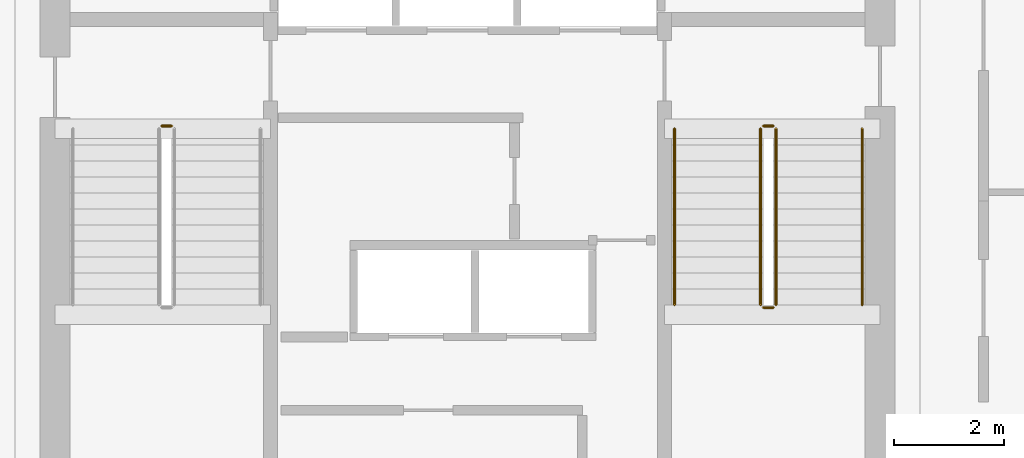
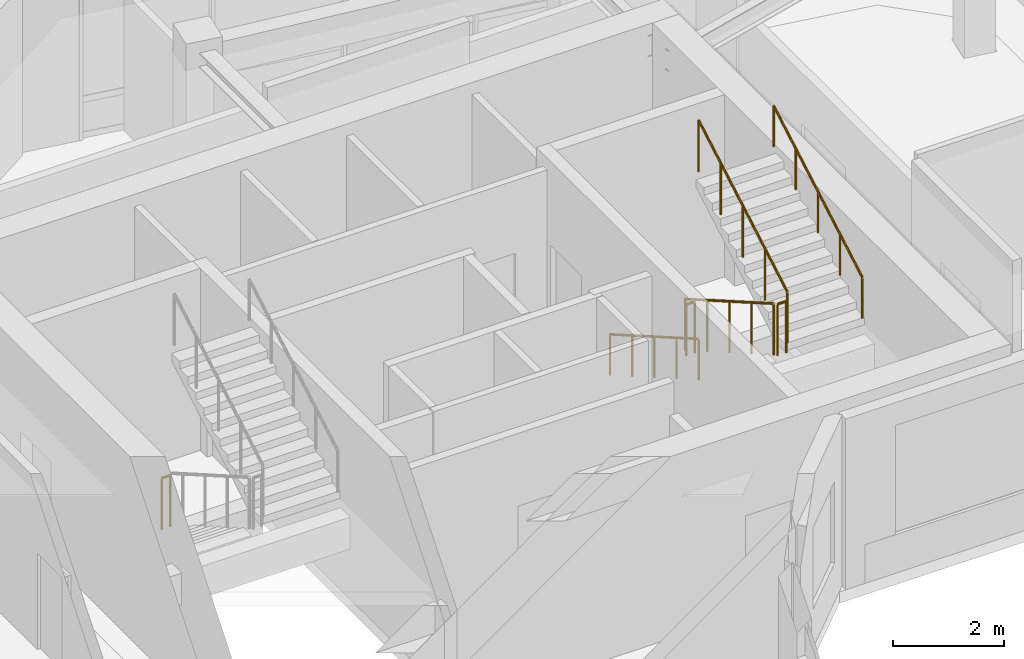
# One storey, part 8 of 8: 7 railings.
"""IFC4 building model written with IfcOpenShell, lengths in metres."""

from ifc_helpers import new_model, si_unit, direction, frame, origin, origin_2d, place, context, subcontext, project, spatial, circle, extrude, material, type_object, element, save


model = new_model("IFC4")

# Units and contexts
model_context = context("Model", 3, precision=1e-05, world=origin(), true_north=direction((0.0, 1.0)))
body_context = subcontext(model_context, "Body", "Model", "MODEL_VIEW")
ifc_project = project(units=[si_unit("LENGTHUNIT", "METRE"), si_unit("AREAUNIT", "SQUARE_METRE"), si_unit("VOLUMEUNIT", "CUBIC_METRE"), si_unit("PLANEANGLEUNIT", "RADIAN"), si_unit("MASSUNIT", "GRAM", prefix="KILO")], contexts=[model_context])

# Site, building, storey
site_placement = place(None, origin())
site = spatial("IfcSite", under=ifc_project, at=site_placement, CompositionType="ELEMENT")
building_placement = place(site_placement, origin())
building = spatial("IfcBuilding", under=site, at=building_placement, Name="Calvemar Wedge Station Tower", CompositionType="ELEMENT")
storey_placement = place(building_placement, frame((0.0, 0.0, 296.5)))
storey = spatial("IfcBuildingStorey", under=building, at=storey_placement, Name="L76", CompositionType="ELEMENT", Elevation=296.5)

# Railings
ifc_material_1 = material(Name="Stainless steel AISI 316L", Category="steel")
railing_type_1 = type_object("IfcRailingType", Name="RL-HANDRAIL-920", PredefinedType="HANDRAIL", material=ifc_material_1)
railing_1_placement = place(storey_placement, frame((27.550048828125, 41.14990234375, 0.166748046875)))
element("IfcRailing", 1, at=railing_1_placement, inside=storey, type_object=railing_type_1, Name="L76 ST-C2 stair handrail 1", PredefinedType="HANDRAIL", context=body_context, shape_type="SweptSolid", body=[
    extrude(circle(Radius=0.02392578125, at=origin_2d()), frame((0.0, 0.0, 0.89599609375), z_axis=(0.0, -0.867019545617, 0.498274128887), x_axis=(1.0, 0.0, 0.0)), (0.0, 0.0, 1.0), 3.67919921875),
    extrude(circle(Radius=0.02099609375, at=origin_2d()), origin(), (0.0, 0.0, 1.0), 0.871826171875),
    extrude(circle(Radius=0.02099609375, at=origin_2d()), frame((0.0, -0.79736328125, 0.458251953125)), (0.0, 0.0, 1.0), 0.871826171875),
    extrude(circle(Radius=0.02099609375, at=origin_2d()), frame((0.0, -1.594970703125, 0.91650390625)), (0.0, 0.0, 1.0), 0.871826171875),
    extrude(circle(Radius=0.02099609375, at=origin_2d()), frame((0.0, -2.392578125, 1.375)), (0.0, 0.0, 1.0), 0.871826171875),
    extrude(circle(Radius=0.02099609375, at=origin_2d()), frame((0.0, -3.18994140625, 1.833251953125)), (0.0, 0.0, 1.0), 0.871826171875),
])
railing_2_placement = place(storey_placement, frame((30.949951171875, 37.9599609375, 2.166748046875)))
element("IfcRailing", 2, at=railing_2_placement, inside=storey, type_object=railing_type_1, Name="L76 ST-C2 stair handrail 2", PredefinedType="HANDRAIL", context=body_context, shape_type="SweptSolid", body=[
    extrude(circle(Radius=0.02392578125, at=origin_2d()), frame((0.0, 0.0, 0.89599609375), z_axis=(0.0, 0.867019545617, 0.498274128887), x_axis=(-1.0, 0.0, 0.0)), (0.0, 0.0, 1.0), 3.67919921875),
    extrude(circle(Radius=0.02099609375, at=origin_2d()), origin(), (0.0, 0.0, 1.0), 0.871826171875),
    extrude(circle(Radius=0.02099609375, at=origin_2d()), frame((0.0, 0.79736328125, 0.458251953125)), (0.0, 0.0, 1.0), 0.871826171875),
    extrude(circle(Radius=0.02099609375, at=origin_2d()), frame((0.0, 1.594970703125, 0.91650390625)), (0.0, 0.0, 1.0), 0.871826171875),
    extrude(circle(Radius=0.02099609375, at=origin_2d()), frame((0.0, 2.392578125, 1.375)), (0.0, 0.0, 1.0), 0.871826171875),
    extrude(circle(Radius=0.02099609375, at=origin_2d()), frame((0.0, 3.18994140625, 1.833251953125)), (0.0, 0.0, 1.0), 0.871826171875),
])
ifc_material_2 = material(Name="Painted steel guardrail ASTM A500 Grade C", Category="steel")
railing_type_2 = type_object("IfcRailingType", Name="RL-STAIR-GUARD-1150", PredefinedType="GUARDRAIL", material=ifc_material_2)
railing_3_placement = place(storey_placement, frame((18.260009765625, 41.199951171875, 0.0)))
element("IfcRailing", 3, at=railing_3_placement, inside=storey, type_object=railing_type_2, Name="L76 ST-C1 stair guard 4", PredefinedType="GUARDRAIL", context=body_context, shape_type="SweptSolid", body=[
    extrude(circle(Radius=0.02392578125, at=origin_2d()), frame((0.0, 0.0, 1.1259765625), z_axis=(1.0, 0.0, 0.0), x_axis=(0.0, 1.0, 0.0)), (0.0, 0.0, 1.0), 0.179931640625),
    extrude(circle(Radius=0.02099609375, at=origin_2d()), origin(), (0.0, 0.0, 1.0), 1.101806640625),
    extrude(circle(Radius=0.02099609375, at=origin_2d()), frame((0.179931640625, 0.0, 0.0)), (0.0, 0.0, 1.0), 1.101806640625),
])
railing_4_placement = place(storey_placement, frame((29.110107421875, 41.14990234375, 0.166748046875)))
element("IfcRailing", 4, at=railing_4_placement, inside=storey, type_object=railing_type_2, Name="L76 ST-C2 stair guard 1", PredefinedType="GUARDRAIL", context=body_context, shape_type="SweptSolid", body=[
    extrude(circle(Radius=0.02392578125, at=origin_2d()), frame((0.0, 0.0, 1.1259765625), z_axis=(0.0, -0.867019545617, 0.498274128887), x_axis=(1.0, 0.0, 0.0)), (0.0, 0.0, 1.0), 3.67919921875),
    extrude(circle(Radius=0.02099609375, at=origin_2d()), origin(), (0.0, 0.0, 1.0), 1.101806640625),
    extrude(circle(Radius=0.02099609375, at=origin_2d()), frame((0.0, -0.79736328125, 0.458251953125)), (0.0, 0.0, 1.0), 1.101806640625),
    extrude(circle(Radius=0.02099609375, at=origin_2d()), frame((0.0, -1.594970703125, 0.91650390625)), (0.0, 0.0, 1.0), 1.101806640625),
    extrude(circle(Radius=0.02099609375, at=origin_2d()), frame((0.0, -2.392578125, 1.375)), (0.0, 0.0, 1.0), 1.101806640625),
    extrude(circle(Radius=0.02099609375, at=origin_2d()), frame((0.0, -3.18994140625, 1.833251953125)), (0.0, 0.0, 1.0), 1.101806640625),
])
railing_5_placement = place(storey_placement, frame((29.159912109375, 37.909912109375, 2.0)))
element("IfcRailing", 5, at=railing_5_placement, inside=storey, type_object=railing_type_2, Name="L76 ST-C2 stair guard 2", PredefinedType="GUARDRAIL", context=body_context, shape_type="SweptSolid", body=[
    extrude(circle(Radius=0.02392578125, at=origin_2d()), frame((0.0, 0.0, 1.1259765625), z_axis=(1.0, 0.0, 0.0), x_axis=(0.0, 1.0, 0.0)), (0.0, 0.0, 1.0), 0.18017578125),
    extrude(circle(Radius=0.02099609375, at=origin_2d()), origin(), (0.0, 0.0, 1.0), 1.101806640625),
    extrude(circle(Radius=0.02099609375, at=origin_2d()), frame((0.18017578125, 0.0, 0.0)), (0.0, 0.0, 1.0), 1.101806640625),
])
railing_6_placement = place(storey_placement, frame((29.389892578125, 37.9599609375, 2.166748046875)))
element("IfcRailing", 6, at=railing_6_placement, inside=storey, type_object=railing_type_2, Name="L76 ST-C2 stair guard 3", PredefinedType="GUARDRAIL", context=body_context, shape_type="SweptSolid", body=[
    extrude(circle(Radius=0.02392578125, at=origin_2d()), frame((0.0, 0.0, 1.1259765625), z_axis=(0.0, 0.867019545617, 0.498274128887), x_axis=(-1.0, 0.0, 0.0)), (0.0, 0.0, 1.0), 3.67919921875),
    extrude(circle(Radius=0.02099609375, at=origin_2d()), origin(), (0.0, 0.0, 1.0), 1.101806640625),
    extrude(circle(Radius=0.02099609375, at=origin_2d()), frame((0.0, 0.79736328125, 0.458251953125)), (0.0, 0.0, 1.0), 1.101806640625),
    extrude(circle(Radius=0.02099609375, at=origin_2d()), frame((0.0, 1.594970703125, 0.91650390625)), (0.0, 0.0, 1.0), 1.101806640625),
    extrude(circle(Radius=0.02099609375, at=origin_2d()), frame((0.0, 2.392578125, 1.375)), (0.0, 0.0, 1.0), 1.101806640625),
    extrude(circle(Radius=0.02099609375, at=origin_2d()), frame((0.0, 3.18994140625, 1.833251953125)), (0.0, 0.0, 1.0), 1.101806640625),
])
railing_7_placement = place(storey_placement, frame((29.159912109375, 41.199951171875, 0.0)))
element("IfcRailing", 7, at=railing_7_placement, inside=storey, type_object=railing_type_2, Name="L76 ST-C2 stair guard 4", PredefinedType="GUARDRAIL", context=body_context, shape_type="SweptSolid", body=[
    extrude(circle(Radius=0.02392578125, at=origin_2d()), frame((0.0, 0.0, 1.1259765625), z_axis=(1.0, 0.0, 0.0), x_axis=(0.0, 1.0, 0.0)), (0.0, 0.0, 1.0), 0.18017578125),
    extrude(circle(Radius=0.02099609375, at=origin_2d()), origin(), (0.0, 0.0, 1.0), 1.101806640625),
    extrude(circle(Radius=0.02099609375, at=origin_2d()), frame((0.18017578125, 0.0, 0.0)), (0.0, 0.0, 1.0), 1.101806640625),
])

save(model, "model.ifc")
